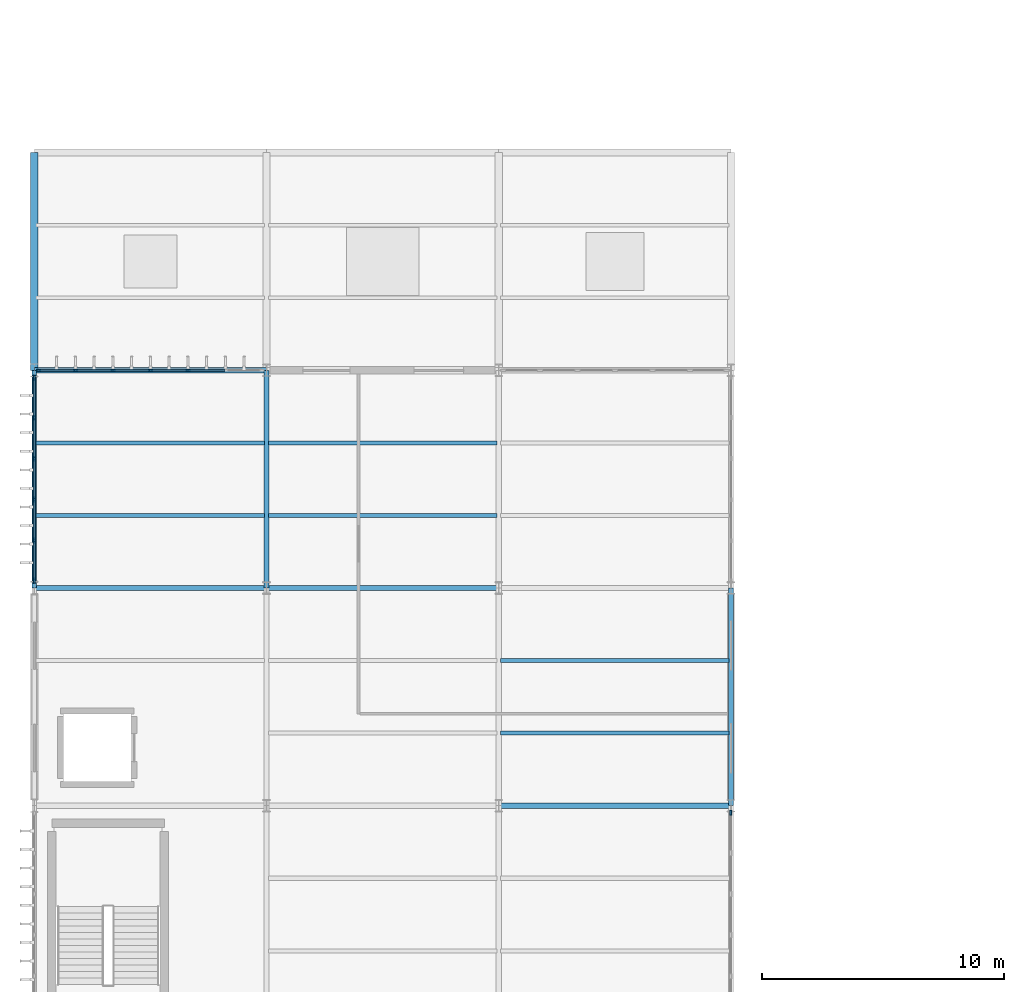
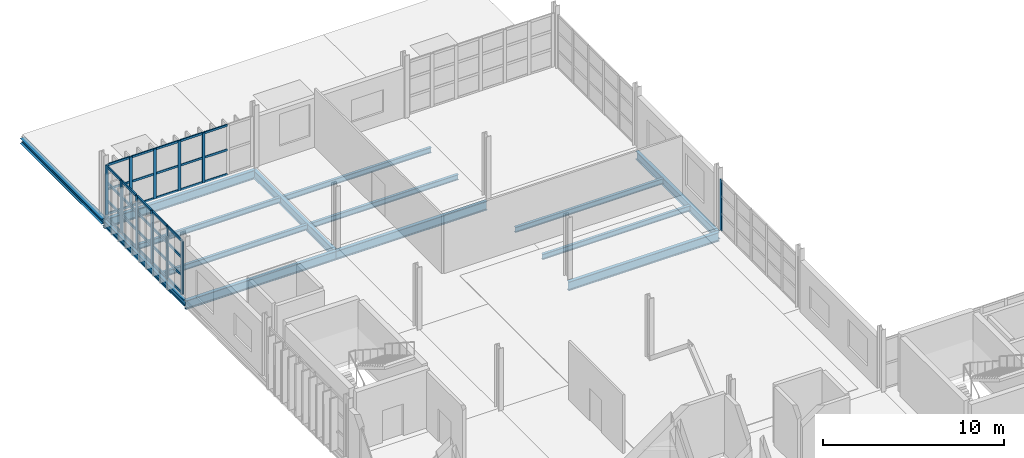
# One storey, part 12 of 52: 47 members, 14 beams, 3 elements without a shape of their own.
"""IFC4 building model written with IfcOpenShell, lengths in metres."""

from ifc_helpers import new_model, si_unit, direction, frame, origin, origin_2d, place, context, subcontext, project, spatial, rectangle, i_section, extrude, material, layer, layer_set, material_profile, profile_set, type_object, element, aggregate, save


model = new_model("IFC4")

# Units and contexts
model_context = context("Model", 3, precision=1e-05, world=origin(), true_north=direction((0.0, 1.0)))
body_context = subcontext(model_context, "Body", "Model", "MODEL_VIEW")
ifc_project = project(units=[si_unit("LENGTHUNIT", "METRE"), si_unit("AREAUNIT", "SQUARE_METRE"), si_unit("VOLUMEUNIT", "CUBIC_METRE"), si_unit("PLANEANGLEUNIT", "RADIAN"), si_unit("MASSUNIT", "GRAM", prefix="KILO")], contexts=[model_context])

# Site, building, storey
site_placement = place(None, origin())
site = spatial("IfcSite", under=ifc_project, at=site_placement, CompositionType="ELEMENT")
building_placement = place(site_placement, origin())
building = spatial("IfcBuilding", under=site, at=building_placement, Name="Zarnetskaya Central Station", CompositionType="ELEMENT")
storey_placement = place(building_placement, frame((0.0, 0.0, 14.39990234375)))
storey = spatial("IfcBuildingStorey", under=building, at=storey_placement, Name="L03", CompositionType="ELEMENT", Elevation=14.39990234375)

# Beams
ifc_material_1 = material(Name="Steel S355", Category="steel")
ifc_material_profile_1 = material_profile(ifc_material_1, i_section(OverallWidth=0.169921875, OverallDepth=0.360107421875, WebThickness=0.008056640625, FlangeThickness=0.0126953125, FilletRadius=0.01806640625, at=origin_2d()), Name="IPE 360")
ifc_profile_set_1 = profile_set([ifc_material_profile_1], Name="Steel S355")
beam_type_1 = type_object("IfcBeamType", Name="BM-SEC-360", PredefinedType="BEAM", material=ifc_profile_set_1)
for number, where, z_axis, x_axis, name in (
    (1, (0.080078125, 52.199951171875, -0.429931640625), (1.0, 0.0, 0.0), (0.0, 1.0, 0.0), "Secondary floor beam SEC-L03-Z1415-AB-78-1"),
    (2, (0.080078125, 55.199951171875, -0.429931640625), (1.0, 0.0, 0.0), (0.0, 1.0, 0.0), "Secondary floor beam SEC-L03-Z1415-AB-78-2"),
):
    element("IfcBeam", number, at=place(storey_placement, frame(where, z_axis=z_axis, x_axis=x_axis)), inside=storey, type_object=beam_type_1, Name=name, PredefinedType="BEAM", context=body_context, shape_type="SweptSolid", body=[
        extrude(i_section(OverallWidth=0.169921875, OverallDepth=0.360107421875, WebThickness=0.008056640625, FlangeThickness=0.0126953125, FilletRadius=0.01806640625, at=origin_2d()), origin(), (0.0, 0.0, 1.0), 9.43994140625),
    ])
for number, where, z_axis, x_axis, name in (
    (3, (9.679931640625, 52.199951171875, -0.429931640625), (1.0, 0.0, 0.0), (0.0, 1.0, 0.0), "Secondary floor beam SEC-L03-Z1415-BC-78-1"),
    (4, (9.679931640625, 55.199951171875, -0.429931640625), (1.0, 0.0, 0.0), (0.0, 1.0, 0.0), "Secondary floor beam SEC-L03-Z1415-BC-78-2"),
):
    element("IfcBeam", number, at=place(storey_placement, frame(where, z_axis=z_axis, x_axis=x_axis)), inside=storey, type_object=beam_type_1, Name=name, PredefinedType="BEAM", context=body_context, shape_type="SweptSolid", body=[
        extrude(i_section(OverallWidth=0.169921875, OverallDepth=0.360107421875, WebThickness=0.008056640625, FlangeThickness=0.0126953125, FilletRadius=0.01806640625, at=origin_2d()), origin(), (0.0, 0.0, 1.0), 9.440185546875),
    ])
for number, where, z_axis, x_axis, name in (
    (5, (19.280029296875, 43.199951171875, -0.429931640625), (1.0, 0.0, 0.0), (0.0, 1.0, 0.0), "Secondary floor beam SEC-L03-Z1415-CD-67-1"),
    (6, (19.280029296875, 46.199951171875, -0.429931640625), (1.0, 0.0, 0.0), (0.0, 1.0, 0.0), "Secondary floor beam SEC-L03-Z1415-CD-67-2"),
):
    element("IfcBeam", number, at=place(storey_placement, frame(where, z_axis=z_axis, x_axis=x_axis)), inside=storey, type_object=beam_type_1, Name=name, PredefinedType="BEAM", context=body_context, shape_type="SweptSolid", body=[
        extrude(i_section(OverallWidth=0.169921875, OverallDepth=0.360107421875, WebThickness=0.008056640625, FlangeThickness=0.0126953125, FilletRadius=0.01806640625, at=origin_2d()), origin(), (0.0, 0.0, 1.0), 9.43994140625),
    ])
ifc_material_profile_2 = material_profile(ifc_material_1, i_section(OverallWidth=0.300048828125, OverallDepth=0.35009765625, WebThickness=0.010009765625, FlangeThickness=0.017578125, FilletRadius=0.027099609375, at=origin_2d()), Name="HEA 360")
ifc_profile_set_2 = profile_set([ifc_material_profile_2], Name="Steel S355")
beam_type_2 = type_object("IfcBeamType", Name="BM-SPN-EAVE", PredefinedType="SPANDREL", material=ifc_profile_set_2)
beam_1_placement = place(storey_placement, frame((0.0, 58.199951171875, -0.385009765625), z_axis=(0.0, 1.0, 0.0), x_axis=(-1.0, 0.0, 0.0)))
element("IfcBeam", 7, at=beam_1_placement, inside=storey, type_object=beam_type_2, Name="Grid girder GY-L03-A-89", PredefinedType="SPANDREL", context=body_context, shape_type="SweptSolid", body=[
    extrude(i_section(OverallWidth=0.300048828125, OverallDepth=0.35009765625, WebThickness=0.010009765625, FlangeThickness=0.017578125, FilletRadius=0.027099609375, at=origin_2d()), origin(), (0.0, 0.0, 1.0), 9.0),
])
ifc_material_profile_3 = material_profile(ifc_material_1, i_section(OverallWidth=0.179931640625, OverallDepth=0.39990234375, WebThickness=0.008544921875, FlangeThickness=0.013427734375, FilletRadius=0.02099609375, at=origin_2d()), Name="IPE 400")
ifc_profile_set_3 = profile_set([ifc_material_profile_3], Name="Steel S355")
beam_type_3 = type_object("IfcBeamType", Name="BM-SPN-V5", PredefinedType="SPANDREL", material=ifc_profile_set_3)
beam_2_placement = place(storey_placement, frame((0.0, 49.199951171875, -0.449951171875), z_axis=(0.0, 1.0, 0.0), x_axis=(-1.0, 0.0, 0.0)))
element("IfcBeam", 8, at=beam_2_placement, inside=storey, type_object=beam_type_3, Name="Grid girder GY-L03-A-78", PredefinedType="SPANDREL", context=body_context, shape_type="SweptSolid", body=[
    extrude(i_section(OverallWidth=0.179931640625, OverallDepth=0.39990234375, WebThickness=0.008544921875, FlangeThickness=0.013427734375, FilletRadius=0.02099609375, at=origin_2d()), origin(), (0.0, 0.0, 1.0), 9.0),
])

# Curtain wall, members
ifc_material_2 = material(Name="Low-E insulated glass", Category="glass")
ifc_layer_1 = layer(ifc_material_2, 0.176025390625, Name="Low-E insulated glass", Category="glass")
ifc_layer_set_1 = layer_set([ifc_layer_1], Name="Low-E insulated glass")
curtain_wall_type_1 = type_object("IfcCurtainWallType", Name="CW-SYS-05", PredefinedType="USERDEFINED", material=ifc_layer_set_1)
curtain_wall_1_placement = place(storey_placement, origin())
curtain_wall_1 = element("IfcCurtainWall", 9, at=curtain_wall_1_placement, inside=storey, type_object=curtain_wall_type_1, Name="Curtain wall CW-L03-035", ObjectType="CURTAIN WALL", PredefinedType="USERDEFINED")
ifc_material_3 = material(Name="Anodised aluminium", Category="aluminium")
ifc_material_profile_4 = material_profile(ifc_material_3, rectangle(XDim=0.070068359375, YDim=0.179931640625, at=origin_2d()), Name="ALU MULL 70x180")
ifc_profile_set_4 = profile_set([ifc_material_profile_4], Name="Anodised aluminium")
member_type_1 = type_object("IfcMemberType", Name="CW-MULL-180", PredefinedType="MULLION", material=ifc_profile_set_4)
member_1_placement = place(storey_placement, frame((0.18505859375, 58.199951171875, 0.0), z_axis=(0.0, 0.0, 1.0), x_axis=(0.0, 1.0, 0.0)))
member_1 = element("IfcMember", 10, at=member_1_placement, type_object=member_type_1, Name="CW-14 mullion 1", PredefinedType="MULLION", context=body_context, shape_type="SweptSolid", body=[
    extrude(rectangle(XDim=0.070068359375, YDim=0.179931640625, at=origin_2d()), origin(), (0.0, 0.0, 1.0), 3.360107421875),
])
member_2_placement = place(storey_placement, frame((1.699951171875, 58.199951171875, 0.0), z_axis=(0.0, 0.0, 1.0), x_axis=(0.0, 1.0, 0.0)))
member_2 = element("IfcMember", 11, at=member_2_placement, type_object=member_type_1, Name="CW-14 mullion 2", PredefinedType="MULLION", context=body_context, shape_type="SweptSolid", body=[
    extrude(rectangle(XDim=0.070068359375, YDim=0.179931640625, at=origin_2d()), origin(), (0.0, 0.0, 1.0), 3.360107421875),
])
member_3_placement = place(storey_placement, frame((3.25, 58.199951171875, 0.0), z_axis=(0.0, 0.0, 1.0), x_axis=(0.0, 1.0, 0.0)))
member_3 = element("IfcMember", 12, at=member_3_placement, type_object=member_type_1, Name="CW-14 mullion 3", PredefinedType="MULLION", context=body_context, shape_type="SweptSolid", body=[
    extrude(rectangle(XDim=0.070068359375, YDim=0.179931640625, at=origin_2d()), origin(), (0.0, 0.0, 1.0), 3.360107421875),
])
member_4_placement = place(storey_placement, frame((4.800048828125, 58.199951171875, 0.0), z_axis=(0.0, 0.0, 1.0), x_axis=(0.0, 1.0, 0.0)))
member_4 = element("IfcMember", 13, at=member_4_placement, type_object=member_type_1, Name="CW-14 mullion 4", PredefinedType="MULLION", context=body_context, shape_type="SweptSolid", body=[
    extrude(rectangle(XDim=0.070068359375, YDim=0.179931640625, at=origin_2d()), origin(), (0.0, 0.0, 1.0), 3.360107421875),
])
member_5_placement = place(storey_placement, frame((6.35009765625, 58.199951171875, 0.0), z_axis=(0.0, 0.0, 1.0), x_axis=(0.0, 1.0, 0.0)))
member_5 = element("IfcMember", 14, at=member_5_placement, type_object=member_type_1, Name="CW-14 mullion 5", PredefinedType="MULLION", context=body_context, shape_type="SweptSolid", body=[
    extrude(rectangle(XDim=0.070068359375, YDim=0.179931640625, at=origin_2d()), origin(), (0.0, 0.0, 1.0), 3.360107421875),
])

ifc_layer_2 = layer(ifc_material_2, 0.159912109375, Name="Low-E insulated glass", Category="glass")
ifc_layer_set_2 = layer_set([ifc_layer_2], Name="Low-E insulated glass")
curtain_wall_type_2 = type_object("IfcCurtainWallType", Name="CW-SYS-11", PredefinedType="USERDEFINED", material=ifc_layer_set_2)
curtain_wall_2_placement = place(storey_placement, origin())
curtain_wall_2 = element("IfcCurtainWall", 15, at=curtain_wall_2_placement, inside=storey, type_object=curtain_wall_type_2, Name="Curtain wall CW-L03-034", ObjectType="CURTAIN WALL", PredefinedType="USERDEFINED")
ifc_material_profile_5 = material_profile(ifc_material_3, rectangle(XDim=0.080078125, YDim=0.219970703125, at=origin_2d()), Name="ALU MULL 80x220")
ifc_profile_set_5 = profile_set([ifc_material_profile_5], Name="Anodised aluminium")
member_type_2 = type_object("IfcMemberType", Name="CW-MULL-220", PredefinedType="MULLION", material=ifc_profile_set_5)
member_6_placement = place(storey_placement, frame((0.0, 49.514892578125, 0.0), z_axis=(0.0, 0.0, 1.0), x_axis=(-1.0, 0.0, 0.0)))
member_6 = element("IfcMember", 16, at=member_6_placement, type_object=member_type_2, Name="CW-09 mullion 1", PredefinedType="MULLION", context=body_context, shape_type="SweptSolid", body=[
    extrude(rectangle(XDim=0.080078125, YDim=0.219970703125, at=origin_2d()), origin(), (0.0, 0.0, 1.0), 3.56005859375),
])
member_7_placement = place(storey_placement, frame((0.0, 51.1650390625, 0.0), z_axis=(0.0, 0.0, 1.0), x_axis=(-1.0, 0.0, 0.0)))
member_7 = element("IfcMember", 17, at=member_7_placement, type_object=member_type_2, Name="CW-09 mullion 2", PredefinedType="MULLION", context=body_context, shape_type="SweptSolid", body=[
    extrude(rectangle(XDim=0.080078125, YDim=0.219970703125, at=origin_2d()), origin(), (0.0, 0.0, 1.0), 3.56005859375),
])
member_8_placement = place(storey_placement, frame((0.0, 52.85498046875, 0.0), z_axis=(0.0, 0.0, 1.0), x_axis=(-1.0, 0.0, 0.0)))
member_8 = element("IfcMember", 18, at=member_8_placement, type_object=member_type_2, Name="CW-09 mullion 3", PredefinedType="MULLION", context=body_context, shape_type="SweptSolid", body=[
    extrude(rectangle(XDim=0.080078125, YDim=0.219970703125, at=origin_2d()), origin(), (0.0, 0.0, 1.0), 3.56005859375),
])
member_9_placement = place(storey_placement, frame((0.0, 54.544921875, 0.0), z_axis=(0.0, 0.0, 1.0), x_axis=(-1.0, 0.0, 0.0)))
member_9 = element("IfcMember", 19, at=member_9_placement, type_object=member_type_2, Name="CW-09 mullion 4", PredefinedType="MULLION", context=body_context, shape_type="SweptSolid", body=[
    extrude(rectangle(XDim=0.080078125, YDim=0.219970703125, at=origin_2d()), origin(), (0.0, 0.0, 1.0), 3.56005859375),
])
member_10_placement = place(storey_placement, frame((0.0, 56.235107421875, 0.0), z_axis=(0.0, 0.0, 1.0), x_axis=(-1.0, 0.0, 0.0)))
member_10 = element("IfcMember", 20, at=member_10_placement, type_object=member_type_2, Name="CW-09 mullion 5", PredefinedType="MULLION", context=body_context, shape_type="SweptSolid", body=[
    extrude(rectangle(XDim=0.080078125, YDim=0.219970703125, at=origin_2d()), origin(), (0.0, 0.0, 1.0), 3.56005859375),
])
member_11_placement = place(storey_placement, frame((0.0, 57.885009765625, 0.0), z_axis=(0.0, 0.0, 1.0), x_axis=(-1.0, 0.0, 0.0)))
member_11 = element("IfcMember", 21, at=member_11_placement, type_object=member_type_2, Name="CW-09 mullion 6", PredefinedType="MULLION", context=body_context, shape_type="SweptSolid", body=[
    extrude(rectangle(XDim=0.080078125, YDim=0.219970703125, at=origin_2d()), origin(), (0.0, 0.0, 1.0), 3.56005859375),
])

# Curtain wall, member
ifc_layer_3 = layer(ifc_material_2, 0.1640625, Name="Low-E insulated glass", Category="glass")
ifc_layer_set_3 = layer_set([ifc_layer_3], Name="Low-E insulated glass")
curtain_wall_type_3 = type_object("IfcCurtainWallType", Name="CW-SYS-07", PredefinedType="USERDEFINED", material=ifc_layer_set_3)
curtain_wall_3_placement = place(storey_placement, origin())
curtain_wall_3 = element("IfcCurtainWall", 22, at=curtain_wall_3_placement, inside=storey, type_object=curtain_wall_type_3, Name="Curtain wall CW-L03-038", ObjectType="CURTAIN WALL", PredefinedType="USERDEFINED")
member_12_placement = place(storey_placement, frame((28.800048828125, 39.909912109375, 0.0), z_axis=(0.0, 0.0, 1.0), x_axis=(1.0, 0.0, 0.0)))
member_12 = element("IfcMember", 23, at=member_12_placement, type_object=member_type_2, Name="CW-06 mullion 1", PredefinedType="MULLION", context=body_context, shape_type="SweptSolid", body=[
    extrude(rectangle(XDim=0.080078125, YDim=0.219970703125, at=origin_2d()), origin(), (0.0, 0.0, 1.0), 3.43017578125),
])
aggregate(curtain_wall_3, [member_12])

# Member
ifc_material_profile_6 = material_profile(ifc_material_3, rectangle(XDim=0.070068359375, YDim=0.139892578125, at=origin_2d()), Name="ALU TRAN 70x140")
ifc_profile_set_6 = profile_set([ifc_material_profile_6], Name="Anodised aluminium")
member_type_3 = type_object("IfcMemberType", Name="CW-TRAN-140", PredefinedType="USERDEFINED", material=ifc_profile_set_6)
member_13_placement = place(storey_placement, frame((0.219970703125, 58.199951171875, 0.03515625), z_axis=(1.0, 0.0, 0.0), x_axis=(0.0, 1.0, 0.0)))
member_13 = element("IfcMember", 24, at=member_13_placement, type_object=member_type_3, Name="CW-14 transom 1.1", ObjectType="TRANSOM", PredefinedType="USERDEFINED", context=body_context, shape_type="SweptSolid", body=[
    extrude(rectangle(XDim=0.070068359375, YDim=0.139892578125, at=origin_2d()), origin(), (0.0, 0.0, 1.0), 1.445068359375),
])

member_14_placement = place(storey_placement, frame((0.219970703125, 58.199951171875, 1.68017578125), z_axis=(1.0, 0.0, 0.0), x_axis=(0.0, 1.0, 0.0)))
member_14 = element("IfcMember", 25, at=member_14_placement, type_object=member_type_3, Name="CW-14 transom 1.2", ObjectType="TRANSOM", PredefinedType="USERDEFINED", context=body_context, shape_type="SweptSolid", body=[
    extrude(rectangle(XDim=0.070068359375, YDim=0.139892578125, at=origin_2d()), origin(), (0.0, 0.0, 1.0), 1.445068359375),
])

member_15_placement = place(storey_placement, frame((0.219970703125, 58.199951171875, 3.3251953125), z_axis=(1.0, 0.0, 0.0), x_axis=(0.0, 1.0, 0.0)))
member_15 = element("IfcMember", 26, at=member_15_placement, type_object=member_type_3, Name="CW-14 transom 1.3", ObjectType="TRANSOM", PredefinedType="USERDEFINED", context=body_context, shape_type="SweptSolid", body=[
    extrude(rectangle(XDim=0.070068359375, YDim=0.139892578125, at=origin_2d()), origin(), (0.0, 0.0, 1.0), 1.445068359375),
])

member_16_placement = place(storey_placement, frame((1.735107421875, 58.199951171875, 0.03515625), z_axis=(1.0, 0.0, 0.0), x_axis=(0.0, 1.0, 0.0)))
member_16 = element("IfcMember", 27, at=member_16_placement, type_object=member_type_3, Name="CW-14 transom 2.1", ObjectType="TRANSOM", PredefinedType="USERDEFINED", context=body_context, shape_type="SweptSolid", body=[
    extrude(rectangle(XDim=0.070068359375, YDim=0.139892578125, at=origin_2d()), origin(), (0.0, 0.0, 1.0), 1.47998046875),
])

member_17_placement = place(storey_placement, frame((1.735107421875, 58.199951171875, 1.68017578125), z_axis=(1.0, 0.0, 0.0), x_axis=(0.0, 1.0, 0.0)))
member_17 = element("IfcMember", 28, at=member_17_placement, type_object=member_type_3, Name="CW-14 transom 2.2", ObjectType="TRANSOM", PredefinedType="USERDEFINED", context=body_context, shape_type="SweptSolid", body=[
    extrude(rectangle(XDim=0.070068359375, YDim=0.139892578125, at=origin_2d()), origin(), (0.0, 0.0, 1.0), 1.47998046875),
])

member_18_placement = place(storey_placement, frame((1.735107421875, 58.199951171875, 3.3251953125), z_axis=(1.0, 0.0, 0.0), x_axis=(0.0, 1.0, 0.0)))
member_18 = element("IfcMember", 29, at=member_18_placement, type_object=member_type_3, Name="CW-14 transom 2.3", ObjectType="TRANSOM", PredefinedType="USERDEFINED", context=body_context, shape_type="SweptSolid", body=[
    extrude(rectangle(XDim=0.070068359375, YDim=0.139892578125, at=origin_2d()), origin(), (0.0, 0.0, 1.0), 1.47998046875),
])

member_19_placement = place(storey_placement, frame((3.284912109375, 58.199951171875, 0.03515625), z_axis=(1.0, 0.0, 0.0), x_axis=(0.0, 1.0, 0.0)))
member_19 = element("IfcMember", 30, at=member_19_placement, type_object=member_type_3, Name="CW-14 transom 3.1", ObjectType="TRANSOM", PredefinedType="USERDEFINED", context=body_context, shape_type="SweptSolid", body=[
    extrude(rectangle(XDim=0.070068359375, YDim=0.139892578125, at=origin_2d()), origin(), (0.0, 0.0, 1.0), 1.47998046875),
])

member_20_placement = place(storey_placement, frame((3.284912109375, 58.199951171875, 1.68017578125), z_axis=(1.0, 0.0, 0.0), x_axis=(0.0, 1.0, 0.0)))
member_20 = element("IfcMember", 31, at=member_20_placement, type_object=member_type_3, Name="CW-14 transom 3.2", ObjectType="TRANSOM", PredefinedType="USERDEFINED", context=body_context, shape_type="SweptSolid", body=[
    extrude(rectangle(XDim=0.070068359375, YDim=0.139892578125, at=origin_2d()), origin(), (0.0, 0.0, 1.0), 1.47998046875),
])

member_21_placement = place(storey_placement, frame((3.284912109375, 58.199951171875, 3.3251953125), z_axis=(1.0, 0.0, 0.0), x_axis=(0.0, 1.0, 0.0)))
member_21 = element("IfcMember", 32, at=member_21_placement, type_object=member_type_3, Name="CW-14 transom 3.3", ObjectType="TRANSOM", PredefinedType="USERDEFINED", context=body_context, shape_type="SweptSolid", body=[
    extrude(rectangle(XDim=0.070068359375, YDim=0.139892578125, at=origin_2d()), origin(), (0.0, 0.0, 1.0), 1.47998046875),
])

member_22_placement = place(storey_placement, frame((4.8349609375, 58.199951171875, 0.03515625), z_axis=(1.0, 0.0, 0.0), x_axis=(0.0, 1.0, 0.0)))
member_22 = element("IfcMember", 33, at=member_22_placement, type_object=member_type_3, Name="CW-14 transom 4.1", ObjectType="TRANSOM", PredefinedType="USERDEFINED", context=body_context, shape_type="SweptSolid", body=[
    extrude(rectangle(XDim=0.070068359375, YDim=0.139892578125, at=origin_2d()), origin(), (0.0, 0.0, 1.0), 1.47998046875),
])

member_23_placement = place(storey_placement, frame((4.8349609375, 58.199951171875, 1.68017578125), z_axis=(1.0, 0.0, 0.0), x_axis=(0.0, 1.0, 0.0)))
member_23 = element("IfcMember", 34, at=member_23_placement, type_object=member_type_3, Name="CW-14 transom 4.2", ObjectType="TRANSOM", PredefinedType="USERDEFINED", context=body_context, shape_type="SweptSolid", body=[
    extrude(rectangle(XDim=0.070068359375, YDim=0.139892578125, at=origin_2d()), origin(), (0.0, 0.0, 1.0), 1.47998046875),
])

member_24_placement = place(storey_placement, frame((4.8349609375, 58.199951171875, 3.3251953125), z_axis=(1.0, 0.0, 0.0), x_axis=(0.0, 1.0, 0.0)))
member_24 = element("IfcMember", 35, at=member_24_placement, type_object=member_type_3, Name="CW-14 transom 4.3", ObjectType="TRANSOM", PredefinedType="USERDEFINED", context=body_context, shape_type="SweptSolid", body=[
    extrude(rectangle(XDim=0.070068359375, YDim=0.139892578125, at=origin_2d()), origin(), (0.0, 0.0, 1.0), 1.47998046875),
])

member_25_placement = place(storey_placement, frame((6.385009765625, 58.199951171875, 0.03515625), z_axis=(1.0, 0.0, 0.0), x_axis=(0.0, 1.0, 0.0)))
member_25 = element("IfcMember", 36, at=member_25_placement, type_object=member_type_3, Name="CW-14 transom 5.1", ObjectType="TRANSOM", PredefinedType="USERDEFINED", context=body_context, shape_type="SweptSolid", body=[
    extrude(rectangle(XDim=0.070068359375, YDim=0.139892578125, at=origin_2d()), origin(), (0.0, 0.0, 1.0), 1.47998046875),
])

member_26_placement = place(storey_placement, frame((6.385009765625, 58.199951171875, 1.68017578125), z_axis=(1.0, 0.0, 0.0), x_axis=(0.0, 1.0, 0.0)))
member_26 = element("IfcMember", 37, at=member_26_placement, type_object=member_type_3, Name="CW-14 transom 5.2", ObjectType="TRANSOM", PredefinedType="USERDEFINED", context=body_context, shape_type="SweptSolid", body=[
    extrude(rectangle(XDim=0.070068359375, YDim=0.139892578125, at=origin_2d()), origin(), (0.0, 0.0, 1.0), 1.47998046875),
])

member_27_placement = place(storey_placement, frame((6.385009765625, 58.199951171875, 3.3251953125), z_axis=(1.0, 0.0, 0.0), x_axis=(0.0, 1.0, 0.0)))
member_27 = element("IfcMember", 38, at=member_27_placement, type_object=member_type_3, Name="CW-14 transom 5.3", ObjectType="TRANSOM", PredefinedType="USERDEFINED", context=body_context, shape_type="SweptSolid", body=[
    extrude(rectangle(XDim=0.070068359375, YDim=0.139892578125, at=origin_2d()), origin(), (0.0, 0.0, 1.0), 1.47998046875),
])

aggregate(curtain_wall_1, [member_1, member_2, member_3, member_4, member_5, member_13, member_14, member_15, member_16, member_17, member_18, member_19, member_20, member_21, member_22, member_23, member_24, member_25, member_26, member_27])

ifc_material_profile_7 = material_profile(ifc_material_3, rectangle(XDim=0.080078125, YDim=0.159912109375, at=origin_2d()), Name="ALU TRAN 80x160")
ifc_profile_set_7 = profile_set([ifc_material_profile_7], Name="Anodised aluminium")
member_type_4 = type_object("IfcMemberType", Name="CW-TRAN-160", PredefinedType="USERDEFINED", material=ifc_profile_set_7)
member_28_placement = place(storey_placement, frame((0.0, 49.554931640625, 0.0400390625), z_axis=(0.0, 1.0, 0.0), x_axis=(-1.0, 0.0, 0.0)))
member_28 = element("IfcMember", 39, at=member_28_placement, type_object=member_type_4, Name="CW-09 transom 1.1", ObjectType="TRANSOM", PredefinedType="USERDEFINED", context=body_context, shape_type="SweptSolid", body=[
    extrude(rectangle(XDim=0.080078125, YDim=0.159912109375, at=origin_2d()), origin(), (0.0, 0.0, 1.0), 1.570068359375),
])

member_29_placement = place(storey_placement, frame((0.0, 49.554931640625, 1.210205078125), z_axis=(0.0, 1.0, 0.0), x_axis=(-1.0, 0.0, 0.0)))
member_29 = element("IfcMember", 40, at=member_29_placement, type_object=member_type_4, Name="CW-09 transom 1.2", ObjectType="TRANSOM", PredefinedType="USERDEFINED", context=body_context, shape_type="SweptSolid", body=[
    extrude(rectangle(XDim=0.080078125, YDim=0.159912109375, at=origin_2d()), origin(), (0.0, 0.0, 1.0), 1.570068359375),
])

member_30_placement = place(storey_placement, frame((0.0, 49.554931640625, 2.421142578125), z_axis=(0.0, 1.0, 0.0), x_axis=(-1.0, 0.0, 0.0)))
member_30 = element("IfcMember", 41, at=member_30_placement, type_object=member_type_4, Name="CW-09 transom 1.3", ObjectType="TRANSOM", PredefinedType="USERDEFINED", context=body_context, shape_type="SweptSolid", body=[
    extrude(rectangle(XDim=0.080078125, YDim=0.159912109375, at=origin_2d()), origin(), (0.0, 0.0, 1.0), 1.570068359375),
])

member_31_placement = place(storey_placement, frame((0.0, 49.554931640625, 3.52001953125), z_axis=(0.0, 1.0, 0.0), x_axis=(-1.0, 0.0, 0.0)))
member_31 = element("IfcMember", 42, at=member_31_placement, type_object=member_type_4, Name="CW-09 transom 1.4", ObjectType="TRANSOM", PredefinedType="USERDEFINED", context=body_context, shape_type="SweptSolid", body=[
    extrude(rectangle(XDim=0.080078125, YDim=0.159912109375, at=origin_2d()), origin(), (0.0, 0.0, 1.0), 1.570068359375),
])

member_32_placement = place(storey_placement, frame((0.0, 51.205078125, 0.0400390625), z_axis=(0.0, 1.0, 0.0), x_axis=(-1.0, 0.0, 0.0)))
member_32 = element("IfcMember", 43, at=member_32_placement, type_object=member_type_4, Name="CW-09 transom 2.1", ObjectType="TRANSOM", PredefinedType="USERDEFINED", context=body_context, shape_type="SweptSolid", body=[
    extrude(rectangle(XDim=0.080078125, YDim=0.159912109375, at=origin_2d()), origin(), (0.0, 0.0, 1.0), 1.60986328125),
])

member_33_placement = place(storey_placement, frame((0.0, 51.205078125, 1.210205078125), z_axis=(0.0, 1.0, 0.0), x_axis=(-1.0, 0.0, 0.0)))
member_33 = element("IfcMember", 44, at=member_33_placement, type_object=member_type_4, Name="CW-09 transom 2.2", ObjectType="TRANSOM", PredefinedType="USERDEFINED", context=body_context, shape_type="SweptSolid", body=[
    extrude(rectangle(XDim=0.080078125, YDim=0.159912109375, at=origin_2d()), origin(), (0.0, 0.0, 1.0), 1.60986328125),
])

member_34_placement = place(storey_placement, frame((0.0, 51.205078125, 2.421142578125), z_axis=(0.0, 1.0, 0.0), x_axis=(-1.0, 0.0, 0.0)))
member_34 = element("IfcMember", 45, at=member_34_placement, type_object=member_type_4, Name="CW-09 transom 2.3", ObjectType="TRANSOM", PredefinedType="USERDEFINED", context=body_context, shape_type="SweptSolid", body=[
    extrude(rectangle(XDim=0.080078125, YDim=0.159912109375, at=origin_2d()), origin(), (0.0, 0.0, 1.0), 1.60986328125),
])

member_35_placement = place(storey_placement, frame((0.0, 51.205078125, 3.52001953125), z_axis=(0.0, 1.0, 0.0), x_axis=(-1.0, 0.0, 0.0)))
member_35 = element("IfcMember", 46, at=member_35_placement, type_object=member_type_4, Name="CW-09 transom 2.4", ObjectType="TRANSOM", PredefinedType="USERDEFINED", context=body_context, shape_type="SweptSolid", body=[
    extrude(rectangle(XDim=0.080078125, YDim=0.159912109375, at=origin_2d()), origin(), (0.0, 0.0, 1.0), 1.60986328125),
])

member_36_placement = place(storey_placement, frame((0.0, 52.89501953125, 0.0400390625), z_axis=(0.0, 1.0, 0.0), x_axis=(-1.0, 0.0, 0.0)))
member_36 = element("IfcMember", 47, at=member_36_placement, type_object=member_type_4, Name="CW-09 transom 3.1", ObjectType="TRANSOM", PredefinedType="USERDEFINED", context=body_context, shape_type="SweptSolid", body=[
    extrude(rectangle(XDim=0.080078125, YDim=0.159912109375, at=origin_2d()), origin(), (0.0, 0.0, 1.0), 1.60986328125),
])

member_37_placement = place(storey_placement, frame((0.0, 52.89501953125, 1.210205078125), z_axis=(0.0, 1.0, 0.0), x_axis=(-1.0, 0.0, 0.0)))
member_37 = element("IfcMember", 48, at=member_37_placement, type_object=member_type_4, Name="CW-09 transom 3.2", ObjectType="TRANSOM", PredefinedType="USERDEFINED", context=body_context, shape_type="SweptSolid", body=[
    extrude(rectangle(XDim=0.080078125, YDim=0.159912109375, at=origin_2d()), origin(), (0.0, 0.0, 1.0), 1.60986328125),
])

member_38_placement = place(storey_placement, frame((0.0, 52.89501953125, 2.421142578125), z_axis=(0.0, 1.0, 0.0), x_axis=(-1.0, 0.0, 0.0)))
member_38 = element("IfcMember", 49, at=member_38_placement, type_object=member_type_4, Name="CW-09 transom 3.3", ObjectType="TRANSOM", PredefinedType="USERDEFINED", context=body_context, shape_type="SweptSolid", body=[
    extrude(rectangle(XDim=0.080078125, YDim=0.159912109375, at=origin_2d()), origin(), (0.0, 0.0, 1.0), 1.60986328125),
])

member_39_placement = place(storey_placement, frame((0.0, 52.89501953125, 3.52001953125), z_axis=(0.0, 1.0, 0.0), x_axis=(-1.0, 0.0, 0.0)))
member_39 = element("IfcMember", 50, at=member_39_placement, type_object=member_type_4, Name="CW-09 transom 3.4", ObjectType="TRANSOM", PredefinedType="USERDEFINED", context=body_context, shape_type="SweptSolid", body=[
    extrude(rectangle(XDim=0.080078125, YDim=0.159912109375, at=origin_2d()), origin(), (0.0, 0.0, 1.0), 1.60986328125),
])

member_40_placement = place(storey_placement, frame((0.0, 54.5849609375, 0.0400390625), z_axis=(0.0, 1.0, 0.0), x_axis=(-1.0, 0.0, 0.0)))
member_40 = element("IfcMember", 51, at=member_40_placement, type_object=member_type_4, Name="CW-09 transom 4.1", ObjectType="TRANSOM", PredefinedType="USERDEFINED", context=body_context, shape_type="SweptSolid", body=[
    extrude(rectangle(XDim=0.080078125, YDim=0.159912109375, at=origin_2d()), origin(), (0.0, 0.0, 1.0), 1.610107421875),
])

member_41_placement = place(storey_placement, frame((0.0, 54.5849609375, 1.210205078125), z_axis=(0.0, 1.0, 0.0), x_axis=(-1.0, 0.0, 0.0)))
member_41 = element("IfcMember", 52, at=member_41_placement, type_object=member_type_4, Name="CW-09 transom 4.2", ObjectType="TRANSOM", PredefinedType="USERDEFINED", context=body_context, shape_type="SweptSolid", body=[
    extrude(rectangle(XDim=0.080078125, YDim=0.159912109375, at=origin_2d()), origin(), (0.0, 0.0, 1.0), 1.610107421875),
])

member_42_placement = place(storey_placement, frame((0.0, 54.5849609375, 2.421142578125), z_axis=(0.0, 1.0, 0.0), x_axis=(-1.0, 0.0, 0.0)))
member_42 = element("IfcMember", 53, at=member_42_placement, type_object=member_type_4, Name="CW-09 transom 4.3", ObjectType="TRANSOM", PredefinedType="USERDEFINED", context=body_context, shape_type="SweptSolid", body=[
    extrude(rectangle(XDim=0.080078125, YDim=0.159912109375, at=origin_2d()), origin(), (0.0, 0.0, 1.0), 1.610107421875),
])

member_43_placement = place(storey_placement, frame((0.0, 54.5849609375, 3.52001953125), z_axis=(0.0, 1.0, 0.0), x_axis=(-1.0, 0.0, 0.0)))
member_43 = element("IfcMember", 54, at=member_43_placement, type_object=member_type_4, Name="CW-09 transom 4.4", ObjectType="TRANSOM", PredefinedType="USERDEFINED", context=body_context, shape_type="SweptSolid", body=[
    extrude(rectangle(XDim=0.080078125, YDim=0.159912109375, at=origin_2d()), origin(), (0.0, 0.0, 1.0), 1.610107421875),
])

member_44_placement = place(storey_placement, frame((0.0, 56.27490234375, 0.0400390625), z_axis=(0.0, 1.0, 0.0), x_axis=(-1.0, 0.0, 0.0)))
member_44 = element("IfcMember", 55, at=member_44_placement, type_object=member_type_4, Name="CW-09 transom 5.1", ObjectType="TRANSOM", PredefinedType="USERDEFINED", context=body_context, shape_type="SweptSolid", body=[
    extrude(rectangle(XDim=0.080078125, YDim=0.159912109375, at=origin_2d()), origin(), (0.0, 0.0, 1.0), 1.570068359375),
])

member_45_placement = place(storey_placement, frame((0.0, 56.27490234375, 1.210205078125), z_axis=(0.0, 1.0, 0.0), x_axis=(-1.0, 0.0, 0.0)))
member_45 = element("IfcMember", 56, at=member_45_placement, type_object=member_type_4, Name="CW-09 transom 5.2", ObjectType="TRANSOM", PredefinedType="USERDEFINED", context=body_context, shape_type="SweptSolid", body=[
    extrude(rectangle(XDim=0.080078125, YDim=0.159912109375, at=origin_2d()), origin(), (0.0, 0.0, 1.0), 1.570068359375),
])

member_46_placement = place(storey_placement, frame((0.0, 56.27490234375, 2.421142578125), z_axis=(0.0, 1.0, 0.0), x_axis=(-1.0, 0.0, 0.0)))
member_46 = element("IfcMember", 57, at=member_46_placement, type_object=member_type_4, Name="CW-09 transom 5.3", ObjectType="TRANSOM", PredefinedType="USERDEFINED", context=body_context, shape_type="SweptSolid", body=[
    extrude(rectangle(XDim=0.080078125, YDim=0.159912109375, at=origin_2d()), origin(), (0.0, 0.0, 1.0), 1.570068359375),
])

member_47_placement = place(storey_placement, frame((0.0, 56.27490234375, 3.52001953125), z_axis=(0.0, 1.0, 0.0), x_axis=(-1.0, 0.0, 0.0)))
member_47 = element("IfcMember", 58, at=member_47_placement, type_object=member_type_4, Name="CW-09 transom 5.4", ObjectType="TRANSOM", PredefinedType="USERDEFINED", context=body_context, shape_type="SweptSolid", body=[
    extrude(rectangle(XDim=0.080078125, YDim=0.159912109375, at=origin_2d()), origin(), (0.0, 0.0, 1.0), 1.570068359375),
])

aggregate(curtain_wall_2, [member_6, member_7, member_8, member_9, member_10, member_11, member_28, member_29, member_30, member_31, member_32, member_33, member_34, member_35, member_36, member_37, member_38, member_39, member_40, member_41, member_42, member_43, member_44, member_45, member_46, member_47])

# Beams
ifc_material_profile_8 = material_profile(ifc_material_1, i_section(OverallWidth=0.2099609375, OverallDepth=0.550048828125, WebThickness=0.010986328125, FlangeThickness=0.01708984375, FilletRadius=0.02392578125, at=origin_2d()), Name="IPE 550")
ifc_profile_set_8 = profile_set([ifc_material_profile_8], Name="Steel S355")
beam_type_4 = type_object("IfcBeamType", Name="GD-FLR-550", PredefinedType="USERDEFINED", material=ifc_profile_set_8)
for number, where, z_axis, x_axis, name in (
    (59, (9.60009765625, 49.199951171875, -0.52490234375), (0.0, 1.0, 0.0), (-1.0, 0.0, 0.0), "Grid girder GY-L03-B-78"),
    (60, (28.800048828125, 40.199951171875, -0.52490234375), (0.0, 1.0, 0.0), (-1.0, 0.0, 0.0), "Grid girder GY-L03-D-67"),
):
    element("IfcBeam", number, at=place(storey_placement, frame(where, z_axis=z_axis, x_axis=x_axis)), inside=storey, type_object=beam_type_4, Name=name, ObjectType="GIRDER", PredefinedType="USERDEFINED", context=body_context, shape_type="SweptSolid", body=[
        extrude(i_section(OverallWidth=0.2099609375, OverallDepth=0.550048828125, WebThickness=0.010986328125, FlangeThickness=0.01708984375, FilletRadius=0.02392578125, at=origin_2d()), origin(), (0.0, 0.0, 1.0), 9.0),
    ])
ifc_material_profile_9 = material_profile(ifc_material_1, i_section(OverallWidth=0.219970703125, OverallDepth=0.60009765625, WebThickness=0.011962890625, FlangeThickness=0.01904296875, FilletRadius=0.02392578125, at=origin_2d()), Name="IPE 600")
ifc_profile_set_9 = profile_set([ifc_material_profile_9], Name="Steel S355")
beam_type_5 = type_object("IfcBeamType", Name="GD-FLR-600", PredefinedType="USERDEFINED", material=ifc_profile_set_9)
for number, where, z_axis, x_axis, name in (
    (61, (0.0, 49.199951171875, -0.5498046875), (1.0, 0.0, 0.0), (0.0, 1.0, 0.0), "Grid girder GX-L03-7-AB"),
    (62, (0.0, 58.199951171875, -0.5498046875), (1.0, 0.0, 0.0), (0.0, 1.0, 0.0), "Grid girder GX-L03-8-AB"),
):
    element("IfcBeam", number, at=place(storey_placement, frame(where, z_axis=z_axis, x_axis=x_axis)), inside=storey, type_object=beam_type_5, Name=name, ObjectType="GIRDER", PredefinedType="USERDEFINED", context=body_context, shape_type="SweptSolid", body=[
        extrude(i_section(OverallWidth=0.219970703125, OverallDepth=0.60009765625, WebThickness=0.011962890625, FlangeThickness=0.01904296875, FilletRadius=0.02392578125, at=origin_2d()), origin(), (0.0, 0.0, 1.0), 9.60009765625),
    ])
beam_3_placement = place(storey_placement, frame((9.60009765625, 49.199951171875, -0.5498046875), z_axis=(1.0, 0.0, 0.0), x_axis=(0.0, 1.0, 0.0)))
element("IfcBeam", 63, at=beam_3_placement, inside=storey, type_object=beam_type_5, Name="Grid girder GX-L03-7-BC", ObjectType="GIRDER", PredefinedType="USERDEFINED", context=body_context, shape_type="SweptSolid", body=[
    extrude(i_section(OverallWidth=0.219970703125, OverallDepth=0.60009765625, WebThickness=0.011962890625, FlangeThickness=0.01904296875, FilletRadius=0.02392578125, at=origin_2d()), origin(), (0.0, 0.0, 1.0), 9.599853515625),
])
beam_4_placement = place(storey_placement, frame((19.199951171875, 40.199951171875, -0.5498046875), z_axis=(1.0, 0.0, 0.0), x_axis=(0.0, 1.0, 0.0)))
element("IfcBeam", 64, at=beam_4_placement, inside=storey, type_object=beam_type_5, Name="Grid girder GX-L03-6-CD", ObjectType="GIRDER", PredefinedType="USERDEFINED", context=body_context, shape_type="SweptSolid", body=[
    extrude(i_section(OverallWidth=0.219970703125, OverallDepth=0.60009765625, WebThickness=0.011962890625, FlangeThickness=0.01904296875, FilletRadius=0.02392578125, at=origin_2d()), origin(), (0.0, 0.0, 1.0), 9.60009765625),
])

save(model, "model.ifc")
